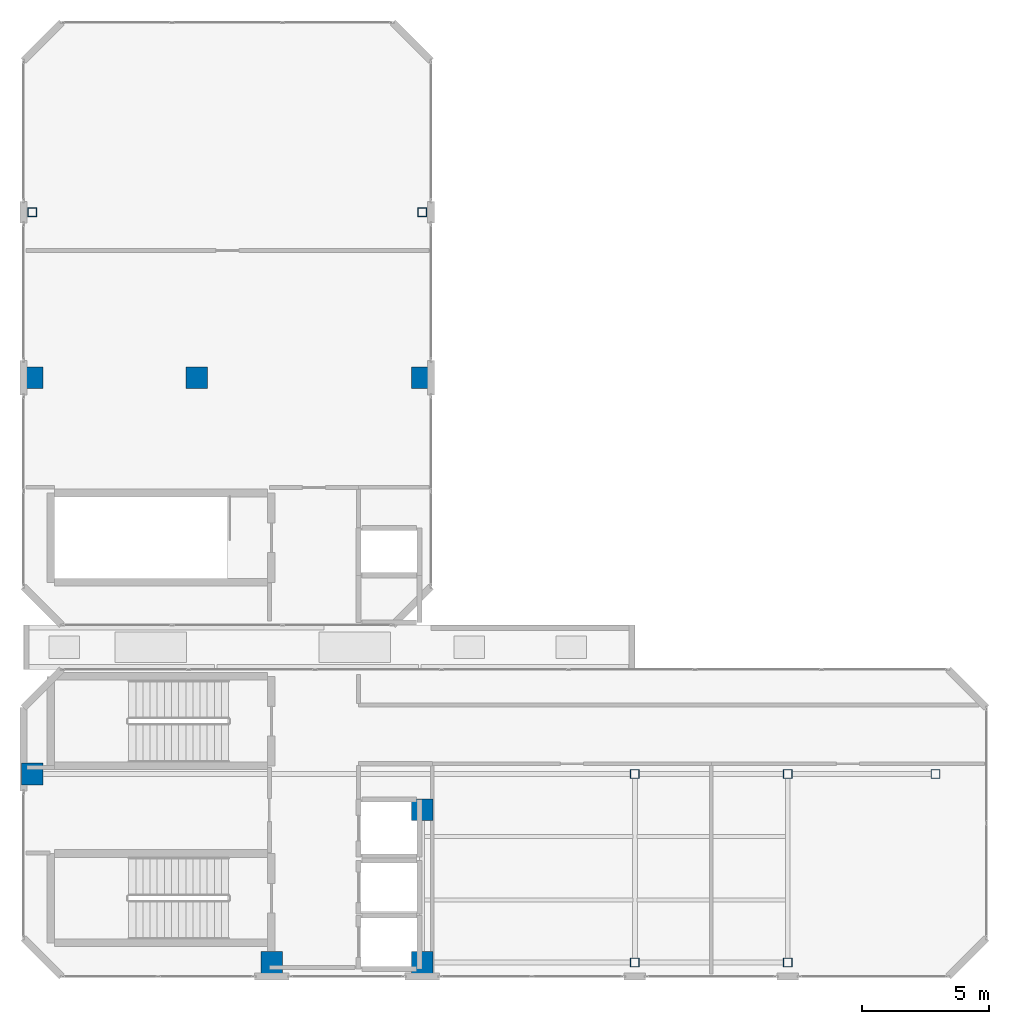
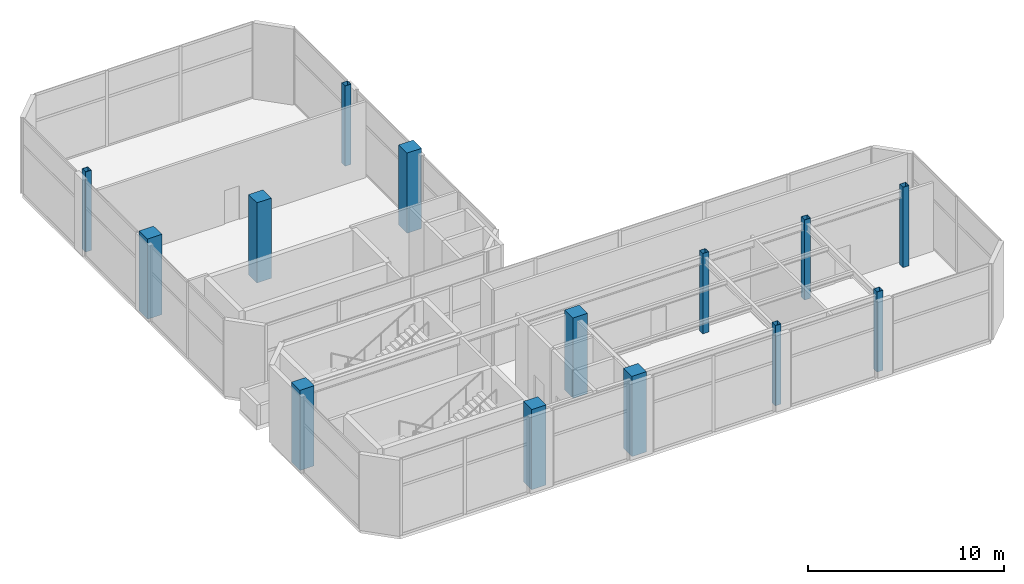
# One storey, part 1 of 18: 14 columns.
"""IFC4 building model written with IfcOpenShell, lengths in metres."""

from ifc_helpers import new_model, si_unit, direction, frame, origin, origin_2d, place, context, subcontext, project, spatial, rectangle, hollow_rectangle, extrude, material, material_profile, profile_set, type_object, element, save


model = new_model("IFC4")

# Units and contexts
model_context = context("Model", 3, precision=1e-05, world=origin(), true_north=direction((0.0, 1.0)))
body_context = subcontext(model_context, "Body", "Model", "MODEL_VIEW")
ifc_project = project(units=[si_unit("LENGTHUNIT", "METRE"), si_unit("AREAUNIT", "SQUARE_METRE"), si_unit("VOLUMEUNIT", "CUBIC_METRE"), si_unit("PLANEANGLEUNIT", "RADIAN"), si_unit("MASSUNIT", "GRAM", prefix="KILO")], contexts=[model_context])

# Site, building, storey
site_placement = place(None, origin())
site = spatial("IfcSite", under=ifc_project, at=site_placement, CompositionType="ELEMENT")
building_placement = place(site_placement, origin())
building = spatial("IfcBuilding", under=site, at=building_placement, Name="Mawjaban Terraces University", CompositionType="ELEMENT")
storey_placement = place(building_placement, frame((0.0, 0.0, 316.699951171875)))
storey = spatial("IfcBuildingStorey", under=building, at=storey_placement, Name="L77", CompositionType="ELEMENT", Elevation=316.699951171875)

# Columns
ifc_material_1 = material(Name="Concrete C50/60", Category="concrete")
ifc_material_profile_1 = material_profile(ifc_material_1, rectangle(XDim=0.85009765625, YDim=0.85009765625, at=origin_2d()), Name="RC850X850")
ifc_profile_set_1 = profile_set([ifc_material_profile_1], Name="Concrete C50/60")
column_type_1 = type_object("IfcColumnType", Name="Col_RC850X850", PredefinedType="COLUMN", material=ifc_profile_set_1)
for number, where, z_axis, x_axis, name in (
    (1, (31.75, 0.550048828125, 0.0), (0.0, 0.0, 1.0), (1.0, 0.0, 0.0), "L77 Column CC2"),
    (2, (37.64990234375, 0.550048828125, 0.0), (0.0, 0.0, 1.0), (1.0, 0.0, 0.0), "L77 Column CC3"),
    (3, (22.35009765625, 7.949951171875, 0.0), (0.0, 0.0, 1.0), (1.0, 0.0, 0.0), "L77 Column CC4"),
    (4, (37.64990234375, 6.550048828125, 0.0), (0.0, 0.0, 1.0), (1.0, 0.0, 0.0), "L77 Column CC5"),
    (5, (22.35009765625, 23.5, 0.0), (0.0, 0.0, 1.0), (1.0, 0.0, 0.0), "L77 Column CC8"),
    (6, (28.800048828125, 23.5, 0.0), (0.0, 0.0, 1.0), (1.0, 0.0, 0.0), "L77 Column CC9"),
    (7, (37.64990234375, 23.5, 0.0), (0.0, 0.0, 1.0), (1.0, 0.0, 0.0), "L77 Column CC10"),
):
    element("IfcColumn", number, at=place(storey_placement, frame(where, z_axis=z_axis, x_axis=x_axis)), inside=storey, type_object=column_type_1, Name=name, PredefinedType="COLUMN", context=body_context, shape_type="SweptSolid", body=[
        extrude(rectangle(XDim=0.85009765625, YDim=0.85009765625, at=origin_2d()), origin(), (0.0, 0.0, 1.0), 5.0),
    ])
ifc_material_2 = material(Name="Steel EN 10210-1 S355J2H", Category="steel")
ifc_material_profile_2 = material_profile(ifc_material_2, hollow_rectangle(XDim=0.35009765625, YDim=0.35009765625, WallThickness=0.01611328125, at=origin_2d()), Name="SHS350X350X16")
ifc_profile_set_2 = profile_set([ifc_material_profile_2], Name="Steel EN 10210-1 S355J2H")
column_type_2 = type_object("IfcColumnType", Name="Col_SHS350X350X16", PredefinedType="COLUMN", material=ifc_profile_set_2)
for number, where, z_axis, x_axis, name in (
    (8, (46.0, 0.550048828125, 0.0), (0.0, 0.0, 1.0), (1.0, 0.0, 0.0), "L77 Column TE-460-005"),
    (9, (46.0, 7.949951171875, 0.0), (0.0, 0.0, 1.0), (1.0, 0.0, 0.0), "L77 Column TE-460-080"),
    (10, (52.0, 0.550048828125, 0.0), (0.0, 0.0, 1.0), (1.0, 0.0, 0.0), "L77 Column TE-520-005"),
    (11, (52.0, 7.949951171875, 0.0), (0.0, 0.0, 1.0), (1.0, 0.0, 0.0), "L77 Column TE-520-080"),
    (12, (57.800048828125, 7.949951171875, 0.0), (0.0, 0.0, 1.0), (1.0, 0.0, 0.0), "L77 Column TE-578-080"),
    (13, (22.35009765625, 30.0, 0.0), (0.0, 0.0, 1.0), (1.0, 0.0, 0.0), "L77 Column TN-223-300"),
    (14, (37.64990234375, 30.0, 0.0), (0.0, 0.0, 1.0), (1.0, 0.0, 0.0), "L77 Column TN-376-300"),
):
    element("IfcColumn", number, at=place(storey_placement, frame(where, z_axis=z_axis, x_axis=x_axis)), inside=storey, type_object=column_type_2, Name=name, PredefinedType="COLUMN", context=body_context, shape_type="SweptSolid", body=[
        extrude(hollow_rectangle(XDim=0.35009765625, YDim=0.35009765625, WallThickness=0.01611328125, at=origin_2d()), origin(), (0.0, 0.0, 1.0), 5.0),
    ])

save(model, "model.ifc")
